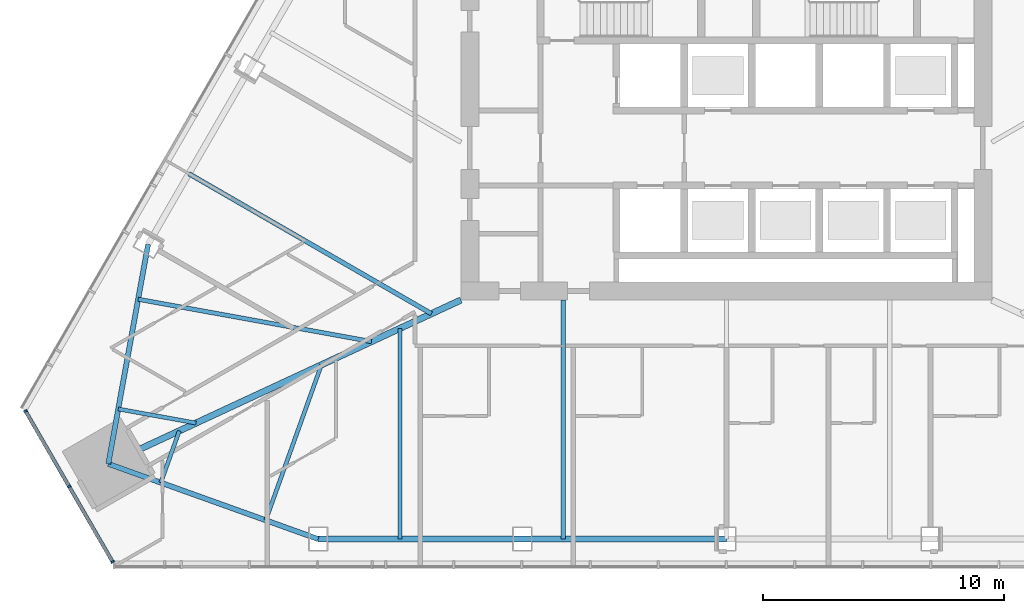
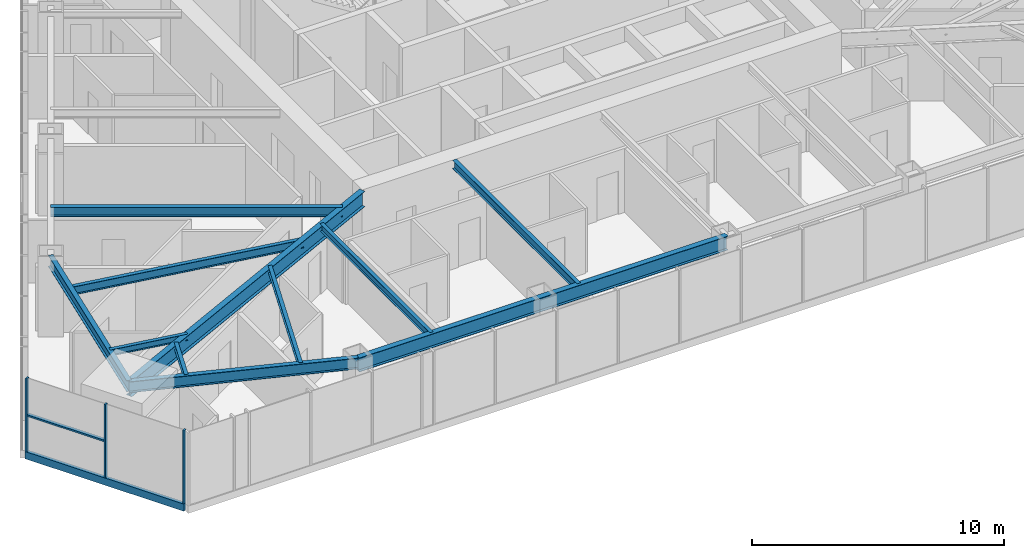
# One storey, part 2 of 20: 11 beams, 5 members, 1 element without a shape of its own.
"""IFC4 building model written with IfcOpenShell, lengths in metres."""

from ifc_helpers import new_model, si_unit, direction, frame, origin, origin_2d, place, context, subcontext, project, spatial, rectangle, i_section, extrude, material, layer, layer_set, material_profile, profile_set, type_object, element, aggregate, save


model = new_model("IFC4")

# Units and contexts
model_context = context("Model", 3, precision=1e-05, world=origin(), true_north=direction((0.0, 1.0)))
body_context = subcontext(model_context, "Body", "Model", "MODEL_VIEW")
ifc_project = project(units=[si_unit("LENGTHUNIT", "METRE"), si_unit("AREAUNIT", "SQUARE_METRE"), si_unit("VOLUMEUNIT", "CUBIC_METRE"), si_unit("PLANEANGLEUNIT", "RADIAN"), si_unit("MASSUNIT", "GRAM", prefix="KILO")], contexts=[model_context])

# Site, building, storey
site_placement = place(None, origin())
site = spatial("IfcSite", under=ifc_project, at=site_placement, CompositionType="ELEMENT")
building_placement = place(site_placement, origin())
building = spatial("IfcBuilding", under=site, at=building_placement, Name="Firuza Gate Tower and Library", CompositionType="ELEMENT")
storey_placement = place(building_placement, frame((0.0, 0.0, 214.300048828125)))
storey = spatial("IfcBuildingStorey", under=building, at=storey_placement, Name="L50", CompositionType="ELEMENT", Elevation=214.300048828125)

# Curtain wall, members
ifc_material_1 = material(Name="Aluminium 6063-T6", Category="aluminium")
ifc_layer = layer(ifc_material_1, 0.14990234375)
ifc_layer_set = layer_set([ifc_layer], Name="Corner curtain wall, chamfers")
curtain_wall_type = type_object("IfcCurtainWallType", Name="Corner curtain wall, chamfers", PredefinedType="NOTDEFINED", material=ifc_layer_set)
curtain_wall_placement = place(storey_placement, origin())
curtain_wall = element("IfcCurtainWall", 1, at=curtain_wall_placement, inside=storey, type_object=curtain_wall_type, Name="CW4 L50 SW corner", PredefinedType="NOTDEFINED")
ifc_material_2 = material(Name="Aluminium 6063-T6", Category="aluminium")
ifc_material_profile_1 = material_profile(ifc_material_2, rectangle(XDim=0.14990234375, YDim=0.080078125, at=origin_2d()))
ifc_profile_set_1 = profile_set([ifc_material_profile_1], Name="Aluminium 6063-T6")
member_type_1 = type_object("IfcMemberType", Name="Curtain wall mullion 80x150", PredefinedType="MULLION", material=ifc_profile_set_1)
member_1_placement = place(storey_placement, frame((45.96630859375, 62.398193359375, 0.14990234375), z_axis=(0.0, 0.0, 1.0), x_axis=(0.866025403784, 0.5, 0.0)))
member_1 = element("IfcMember", 2, at=member_1_placement, type_object=member_type_1, Name="Mullion", PredefinedType="MULLION", context=body_context, shape_type="SweptSolid", body=[
    extrude(rectangle(XDim=0.14990234375, YDim=0.080078125, at=origin_2d()), origin(), (0.0, 0.0, 1.0), 3.550048828125),
])
member_2_placement = place(storey_placement, frame((47.76806640625, 59.277587890625, 0.14990234375), z_axis=(0.0, 0.0, 1.0), x_axis=(0.866025403784, 0.5, 0.0)))
member_2 = element("IfcMember", 3, at=member_2_placement, type_object=member_type_1, Name="Mullion", PredefinedType="MULLION", context=body_context, shape_type="SweptSolid", body=[
    extrude(rectangle(XDim=0.14990234375, YDim=0.080078125, at=origin_2d()), origin(), (0.0, 0.0, 1.0), 3.550048828125),
])
member_3_placement = place(storey_placement, frame((49.56982421875, 56.156982421875, 0.14990234375), z_axis=(0.0, 0.0, 1.0), x_axis=(0.866025403784, 0.5, 0.0)))
member_3 = element("IfcMember", 4, at=member_3_placement, type_object=member_type_1, Name="Mullion", PredefinedType="MULLION", context=body_context, shape_type="SweptSolid", body=[
    extrude(rectangle(XDim=0.14990234375, YDim=0.080078125, at=origin_2d()), origin(), (0.0, 0.0, 1.0), 3.550048828125),
])
ifc_material_3 = material(Name="Aluminium 6063-T6", Category="aluminium")
ifc_material_profile_2 = material_profile(ifc_material_3, rectangle(XDim=0.14990234375, YDim=0.35009765625, at=origin_2d()))
ifc_profile_set_2 = profile_set([ifc_material_profile_2], Name="Aluminium 6063-T6")
member_type_2 = type_object("IfcMemberType", Name="Curtain wall transom 350x150", PredefinedType="USERDEFINED", material=ifc_profile_set_2)
member_4_placement = place(storey_placement, frame((45.9462890625, 62.432861328125, -0.025146484375), z_axis=(0.500005719219, -0.866022101766, 0.0), x_axis=(0.866022101766, 0.500005719219, 0.0)))
member_4 = element("IfcMember", 5, at=member_4_placement, type_object=member_type_2, Name="Transom", ObjectType="TRANSOM", PredefinedType="USERDEFINED", context=body_context, shape_type="SweptSolid", body=[
    extrude(rectangle(XDim=0.14990234375, YDim=0.35009765625, at=origin_2d()), origin(), (0.0, 0.0, 1.0), 7.28662109375),
])
ifc_material_4 = material(Name="Aluminium 6063-T6", Category="aluminium")
ifc_material_profile_3 = material_profile(ifc_material_4, rectangle(XDim=0.14990234375, YDim=0.080078125, at=origin_2d()))
ifc_profile_set_3 = profile_set([ifc_material_profile_3], Name="Aluminium 6063-T6")
member_type_3 = type_object("IfcMemberType", Name="Curtain wall transom 80x150", PredefinedType="USERDEFINED", material=ifc_profile_set_3)
member_5_placement = place(storey_placement, frame((45.96630859375, 62.398193359375, 1.925048828125), z_axis=(0.500015035186, -0.866016723041, 0.0), x_axis=(0.866016723041, 0.500015035186, 0.0)))
member_5 = element("IfcMember", 6, at=member_5_placement, type_object=member_type_3, Name="Transom", ObjectType="TRANSOM", PredefinedType="USERDEFINED", context=body_context, shape_type="SweptSolid", body=[
    extrude(rectangle(XDim=0.14990234375, YDim=0.080078125, at=origin_2d()), origin(), (0.0, 0.0, 1.0), 3.5634765625),
])
aggregate(curtain_wall, [member_1, member_2, member_3, member_4, member_5])

# Beams
ifc_material_5 = material(Name="Steel S355", Category="steel")
ifc_material_profile_4 = material_profile(ifc_material_5, i_section(OverallWidth=0.1650390625, OverallDepth=0.31005859375, WebThickness=0.005859375, FlangeThickness=0.009765625, at=origin_2d()))
ifc_profile_set_4 = profile_set([ifc_material_profile_4], Name="Steel S355")
beam_type_1 = type_object("IfcBeamType", Name="W310x39 Floor beam", PredefinedType="JOIST", material=ifc_profile_set_4)
beam_1_placement = place(storey_placement, frame((49.803955078125, 62.48779296875, 3.544921875), z_axis=(0.983948530729, -0.178452483528, 0.0), x_axis=(0.178452483528, 0.983948530729, 0.0)))
element("IfcBeam", 7, at=beam_1_placement, inside=storey, type_object=beam_type_1, Name="Floor beam L50 s01", PredefinedType="JOIST", context=body_context, shape_type="SweptSolid", body=[
    extrude(i_section(OverallWidth=0.1650390625, OverallDepth=0.31005859375, WebThickness=0.005859375, FlangeThickness=0.009765625, at=origin_2d()), origin(), (0.0, 0.0, 1.0), 3.275146484375),
])
beam_2_placement = place(storey_placement, frame((51.566162109375, 59.435791015625, 3.544921875), z_axis=(0.337475616442, 0.941334270229, 0.0), x_axis=(-0.941334270229, 0.337475616442, 0.0)))
element("IfcBeam", 8, at=beam_2_placement, inside=storey, type_object=beam_type_1, Name="Floor beam L50 s10", PredefinedType="JOIST", context=body_context, shape_type="SweptSolid", body=[
    extrude(i_section(OverallWidth=0.1650390625, OverallDepth=0.31005859375, WebThickness=0.005859375, FlangeThickness=0.009765625, at=origin_2d()), origin(), (0.0, 0.0, 1.0), 2.2802734375),
])
beam_3_placement = place(storey_placement, frame((55.91455078125, 57.876953125, 3.544921875), z_axis=(0.337452942664, 0.941342398645, 0.0), x_axis=(-0.941342398645, 0.337452942664, 0.0)))
element("IfcBeam", 9, at=beam_3_placement, inside=storey, type_object=beam_type_1, Name="Floor beam L50 s11", PredefinedType="JOIST", context=body_context, shape_type="SweptSolid", body=[
    extrude(i_section(OverallWidth=0.1650390625, OverallDepth=0.31005859375, WebThickness=0.005859375, FlangeThickness=0.009765625, at=origin_2d()), origin(), (0.0, 0.0, 1.0), 6.84130859375),
])
ifc_material_6 = material(Name="Steel S355", Category="steel")
ifc_material_profile_5 = material_profile(ifc_material_6, i_section(OverallWidth=0.1708984375, OverallDepth=0.35498046875, WebThickness=0.007080078125, FlangeThickness=0.01171875, at=origin_2d()))
ifc_profile_set_5 = profile_set([ifc_material_profile_5], Name="Steel S355")
beam_type_2 = type_object("IfcBeamType", Name="W360x51 Floor beam", PredefinedType="JOIST", material=ifc_profile_set_5)
beam_4_placement = place(storey_placement, frame((61.470947265625, 57.097412109375, 3.5224609375), z_axis=(0.0, 1.0, 0.0), x_axis=(-1.0, 0.0, 0.0)))
element("IfcBeam", 10, at=beam_4_placement, inside=storey, type_object=beam_type_2, Name="Floor beam L50 s20", PredefinedType="JOIST", context=body_context, shape_type="SweptSolid", body=[
    extrude(i_section(OverallWidth=0.1708984375, OverallDepth=0.35498046875, WebThickness=0.007080078125, FlangeThickness=0.01171875, at=origin_2d()), origin(), (0.0, 0.0, 1.0), 8.72802734375),
])
ifc_material_7 = material(Name="Steel S355", Category="steel")
ifc_material_profile_6 = material_profile(ifc_material_7, i_section(OverallWidth=0.177978515625, OverallDepth=0.406982421875, WebThickness=0.0078125, FlangeThickness=0.0126953125, at=origin_2d()))
ifc_profile_set_6 = profile_set([ifc_material_profile_6], Name="Steel S355")
beam_type_3 = type_object("IfcBeamType", Name="W410x60 Floor beam", PredefinedType="JOIST", material=ifc_profile_set_6)
beam_5_placement = place(storey_placement, frame((50.628173828125, 67.032958984375, 3.496337890625), z_axis=(0.98395368435, -0.178424065234, 0.0), x_axis=(0.178424065234, 0.98395368435, 0.0)))
element("IfcBeam", 11, at=beam_5_placement, inside=storey, type_object=beam_type_3, Name="Floor beam L50 s00", PredefinedType="JOIST", context=body_context, shape_type="SweptSolid", body=[
    extrude(i_section(OverallWidth=0.177978515625, OverallDepth=0.406982421875, WebThickness=0.0078125, FlangeThickness=0.0126953125, at=origin_2d()), origin(), (0.0, 0.0, 1.0), 9.825927734375),
])
beam_6_placement = place(storey_placement, frame((68.2353515625, 57.097412109375, 3.496337890625), z_axis=(0.0, 1.0, 0.0), x_axis=(-1.0, 0.0, 0.0)))
element("IfcBeam", 12, at=beam_6_placement, inside=storey, type_object=beam_type_3, Name="Floor beam L50 s21", PredefinedType="JOIST", context=body_context, shape_type="SweptSolid", body=[
    extrude(i_section(OverallWidth=0.177978515625, OverallDepth=0.406982421875, WebThickness=0.0078125, FlangeThickness=0.0126953125, at=origin_2d()), origin(), (0.0, 0.0, 1.0), 9.902587890625),
])
ifc_material_8 = material(Name="Steel S355", Category="steel")
ifc_material_profile_7 = material_profile(ifc_material_8, i_section(OverallWidth=0.18994140625, OverallDepth=0.45703125, WebThickness=0.009033203125, FlangeThickness=0.014404296875, at=origin_2d()))
ifc_profile_set_7 = profile_set([ifc_material_profile_7], Name="Steel S355")
beam_type_4 = type_object("IfcBeamType", Name="W460x74 Floor beam", PredefinedType="JOIST", material=ifc_profile_set_7)
beam_7_placement = place(storey_placement, frame((52.7314453125, 72.23486328125, 3.471435546875), z_axis=(0.866021598738, -0.500006590476, 0.0), x_axis=(0.500006590476, 0.866021598738, 0.0)))
element("IfcBeam", 13, at=beam_7_placement, inside=storey, type_object=beam_type_4, Name="Floor beam L50 s84", PredefinedType="JOIST", context=body_context, shape_type="SweptSolid", body=[
    extrude(i_section(OverallWidth=0.18994140625, OverallDepth=0.45703125, WebThickness=0.009033203125, FlangeThickness=0.014404296875, at=origin_2d()), origin(), (0.0, 0.0, 1.0), 11.602783203125),
])
ifc_material_9 = material(Name="Steel S355", Category="steel")
ifc_material_profile_8 = material_profile(ifc_material_9, i_section(OverallWidth=0.212890625, OverallDepth=0.5390625, WebThickness=0.01171875, FlangeThickness=0.018798828125, at=origin_2d()))
ifc_profile_set_8 = profile_set([ifc_material_profile_8], Name="Steel S355")
beam_type_5 = type_object("IfcBeamType", Name="W530x109 Edge beam", PredefinedType="SPANDREL", material=ifc_profile_set_8)
for number, where, z_axis, x_axis, name in (
    (14, (51.040283203125, 69.3056640625, 3.430419921875), (-0.178424980687, -0.983953518347, 0.0), (0.983953518347, -0.178424980687, 0.0), "Edge beam L50 e00"),
    (15, (49.391845703125, 60.215087890625, 3.430419921875), (0.941340671255, -0.337457761269, 0.0), (0.337457761269, 0.941340671255, 0.0), "Edge beam L50 e10"),
):
    element("IfcBeam", number, at=place(storey_placement, frame(where, z_axis=z_axis, x_axis=x_axis)), inside=storey, type_object=beam_type_5, Name=name, PredefinedType="SPANDREL", context=body_context, shape_type="SweptSolid", body=[
        extrude(i_section(OverallWidth=0.212890625, OverallDepth=0.5390625, WebThickness=0.01171875, FlangeThickness=0.018798828125, at=origin_2d()), origin(), (0.0, 0.0, 1.0), 9.23876953125),
    ])
ifc_material_10 = material(Name="Steel S355", Category="steel")
ifc_material_profile_9 = material_profile(ifc_material_10, i_section(OverallWidth=0.2529296875, OverallDepth=0.677978515625, WebThickness=0.01171875, FlangeThickness=0.016357421875, at=origin_2d()))
ifc_profile_set_9 = profile_set([ifc_material_profile_9], Name="Steel S355")
beam_type_6 = type_object("IfcBeamType", Name="W690x125 Edge beam", PredefinedType="SPANDREL", material=ifc_profile_set_9)
beam_8_placement = place(storey_placement, frame((58.088623046875, 57.097412109375, 3.36083984375), z_axis=(1.0, 0.0, 0.0), x_axis=(0.0, 1.0, 0.0)))
element("IfcBeam", 16, at=beam_8_placement, inside=storey, type_object=beam_type_6, Name="Edge beam L50 e20", PredefinedType="SPANDREL", context=body_context, shape_type="SweptSolid", body=[
    extrude(i_section(OverallWidth=0.2529296875, OverallDepth=0.677978515625, WebThickness=0.01171875, FlangeThickness=0.016357421875, at=origin_2d()), origin(), (0.0, 0.0, 1.0), 16.911376953125),
])
ifc_material_11 = material(Name="Steel S355", Category="steel")
ifc_material_profile_10 = material_profile(ifc_material_11, i_section(OverallWidth=0.264892578125, OverallDepth=0.7529296875, WebThickness=0.01318359375, FlangeThickness=0.01708984375, at=origin_2d()))
ifc_profile_set_10 = profile_set([ifc_material_profile_10], Name="Steel S355")
beam_type_7 = type_object("IfcBeamType", Name="W760x147 Girder", PredefinedType="BEAM", material=ifc_profile_set_10)
beam_9_placement = place(storey_placement, frame((49.391845703125, 60.215087890625, 3.323486328125), z_axis=(0.90694837612, 0.421241786927, 0.0), x_axis=(-0.421241786927, 0.90694837612, 0.0)))
element("IfcBeam", 17, at=beam_9_placement, inside=storey, type_object=beam_type_7, Name="Girder L50 gSW", PredefinedType="BEAM", context=body_context, shape_type="SweptSolid", body=[
    extrude(i_section(OverallWidth=0.264892578125, OverallDepth=0.7529296875, WebThickness=0.01318359375, FlangeThickness=0.01708984375, at=origin_2d()), origin(), (0.0, 0.0, 1.0), 16.10693359375),
])

save(model, "model.ifc")
